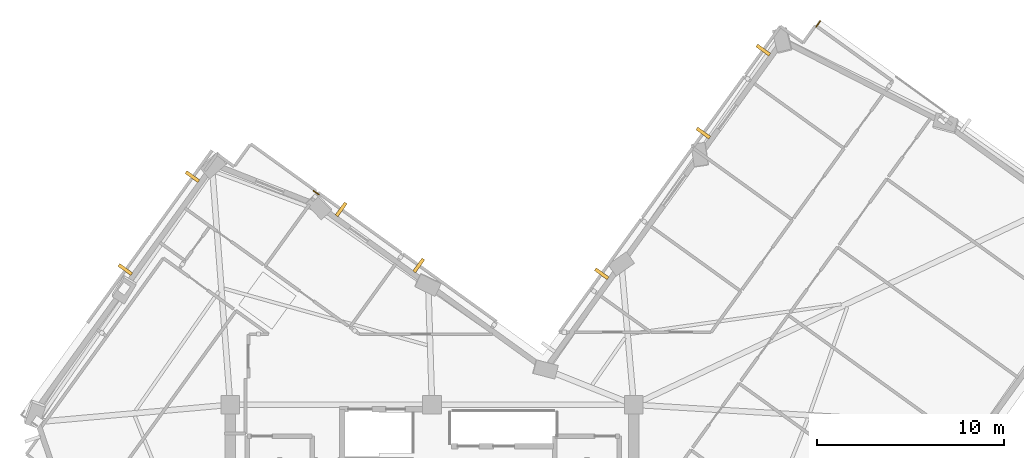
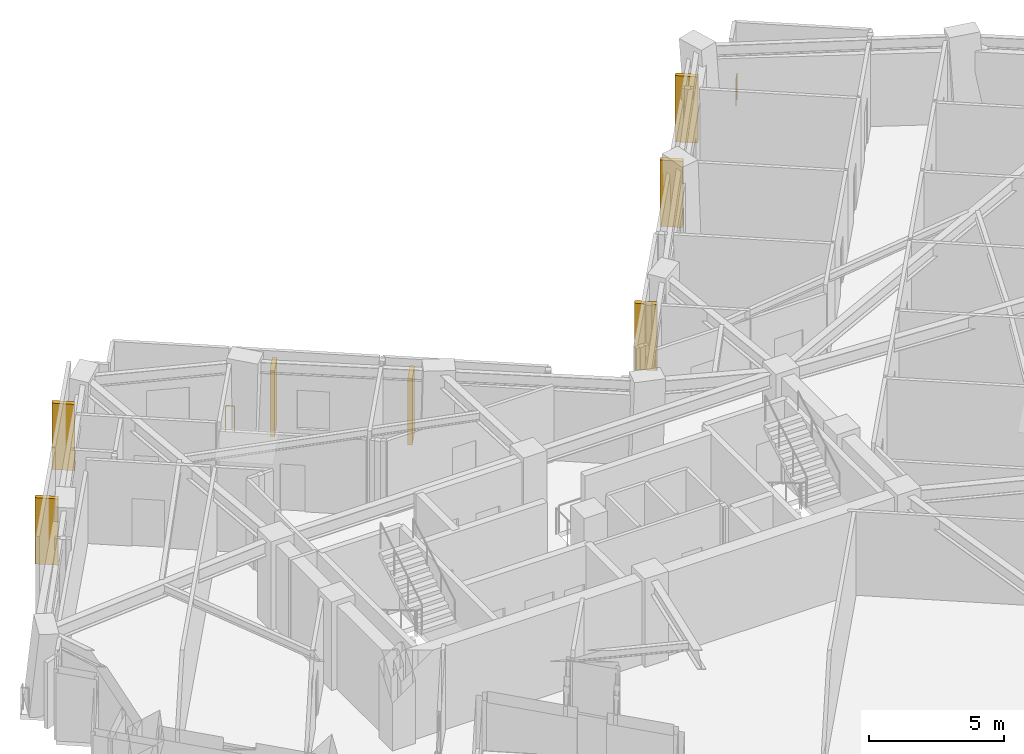
# One storey, part 12 of 13: 7 shading devices, 2 railings.
"""IFC4 building model written with IfcOpenShell, lengths in metres."""

from ifc_helpers import new_model, si_unit, direction, frame, origin, origin_2d, place, context, subcontext, project, spatial, rectangle, circle, extrude, material, layer, layer_set, type_object, element, save


model = new_model("IFC4")

# Units and contexts
model_context = context("Model", 3, precision=1e-05, world=origin(), true_north=direction((0.0, 1.0)))
body_context = subcontext(model_context, "Body", "Model", "MODEL_VIEW")
ifc_project = project(units=[si_unit("LENGTHUNIT", "METRE"), si_unit("AREAUNIT", "SQUARE_METRE"), si_unit("VOLUMEUNIT", "CUBIC_METRE"), si_unit("PLANEANGLEUNIT", "RADIAN"), si_unit("MASSUNIT", "GRAM", prefix="KILO")], contexts=[model_context])

# Site, building, storey
site_placement = place(None, origin())
site = spatial("IfcSite", under=ifc_project, at=site_placement, CompositionType="ELEMENT")
building_placement = place(site_placement, origin())
building = spatial("IfcBuilding", under=site, at=building_placement, Name="Gaonmaruhae Medical Tower", CompositionType="ELEMENT")
storey_placement = place(building_placement, frame((0.0, 0.0, 255.199951171875)))
storey = spatial("IfcBuildingStorey", under=building, at=storey_placement, Name="L61", CompositionType="ELEMENT", Elevation=255.199951171875)

# Railings
ifc_material_1 = material(Name="Stainless steel 316L and laminated safety glass", Category="steel")
ifc_layer = layer(ifc_material_1, 0.080078125)
ifc_layer_set = layer_set([ifc_layer], Name="Stainless steel 316L and laminated safety glass")
railing_type = type_object("IfcRailingType", Name="GD-120 Outdoor Terrace Safety Glass & Steel Balustrade", PredefinedType="BALUSTRADE", material=ifc_layer_set)
railing_1_placement = place(storey_placement, frame((18.461181640625, 28.249755859375, 0.0)))
element("IfcRailing", 1, at=railing_1_placement, inside=storey, type_object=railing_type, Name="L61 Perimeter Slab Edge Safety Balustrade 02", PredefinedType="BALUSTRADE", context=body_context, shape_type="SweptSolid", body=[
    extrude(circle(Radius=0.02392578125, at=origin_2d()), frame((0.0, 0.0, 1.17578125), z_axis=(0.810850245376, -0.585253688218, 0.0), x_axis=(0.585253688218, 0.810850245376, 0.0)), (0.0, 0.0, 1.0), 0.338623046875),
    extrude(circle(Radius=0.02099609375, at=origin_2d()), origin(), (0.0, 0.0, 1.0), 1.15185546875),
    extrude(circle(Radius=0.02099609375, at=origin_2d()), frame((0.274658203125, -0.1982421875, 0.0)), (0.0, 0.0, 1.0), 1.15185546875),
])
railing_2_placement = place(storey_placement, frame((45.352294921875, 37.0185546875, 0.0)))
element("IfcRailing", 2, at=railing_2_placement, inside=storey, type_object=railing_type, Name="L61 Perimeter Slab Edge Safety Balustrade 03", PredefinedType="BALUSTRADE", context=body_context, shape_type="SweptSolid", body=[
    extrude(circle(Radius=0.02392578125, at=origin_2d()), frame((0.0, 0.0, 1.17578125), z_axis=(0.585807711605, 0.81045007559, 0.0), x_axis=(-0.81045007559, 0.585807711605, 0.0)), (0.0, 0.0, 1.0), 0.393310546875),
    extrude(circle(Radius=0.02099609375, at=origin_2d()), origin(), (0.0, 0.0, 1.0), 1.15185546875),
    extrude(circle(Radius=0.02099609375, at=origin_2d()), frame((0.23046875, 0.31884765625, 0.0)), (0.0, 0.0, 1.0), 1.15185546875),
])

# Shading devices
ifc_material_2 = material(Name="Pigmented coral precast concrete C45/55", Category="concrete")
shading_device_type = type_object("IfcShadingDeviceType", Name="SD-FIN1 Tower Vertical Coral Precast Shading Fin", PredefinedType="USERDEFINED", material=ifc_material_2)
for number, where, z_axis, x_axis, name in (
    (3, (39.3203125, 31.34228515625, 0.132568359375), (0.0, 0.0, 1.0), (0.585665238866, 0.810553038353, 0.0), "L61 Vertical Coral Precast Shading Fin E03"),
    (4, (42.52978515625, 35.7841796875, 0.132568359375), (0.0, 0.0, 1.0), (0.585665238866, 0.810553038353, 0.0), "L61 Vertical Coral Precast Shading Fin E03B"),
    (5, (33.8798828125, 23.812744140625, 0.132568359375), (0.0, 0.0, 1.0), (0.585665238866, 0.810553038353, 0.0), "L61 Vertical Coral Precast Shading Fin EN02B"),
    (6, (19.940185546875, 27.26123046875, 0.132568359375), (0.0, 0.0, 1.0), (0.810553038353, -0.585665238866, 0.0), "L61 Vertical Coral Precast Shading Fin NE01"),
    (7, (24.093505859375, 24.26025390625, 0.132568359375), (0.0, 0.0, 1.0), (0.810553038353, -0.585665238866, 0.0), "L61 Vertical Coral Precast Shading Fin NE01B"),
    (8, (8.381591796875, 24.038818359375, 0.132568359375), (0.0, 0.0, 1.0), (0.585665238866, 0.810553038353, 0.0), "L61 Vertical Coral Precast Shading Fin N01"),
    (9, (11.97412109375, 29.0107421875, 0.132568359375), (0.0, 0.0, 1.0), (0.585665238866, 0.810553038353, 0.0), "L61 Vertical Coral Precast Shading Fin N01B"),
):
    element("IfcShadingDevice", number, at=place(storey_placement, frame(where, z_axis=z_axis, x_axis=x_axis)), inside=storey, type_object=shading_device_type, Name=name, ObjectType="FIN", PredefinedType="USERDEFINED", context=body_context, shape_type="SweptSolid", body=[
        extrude(rectangle(XDim=0.179931640625, YDim=0.85009765625, at=origin_2d()), origin(), (0.0, 0.0, 1.0), 3.0),
    ])

save(model, "model.ifc")
